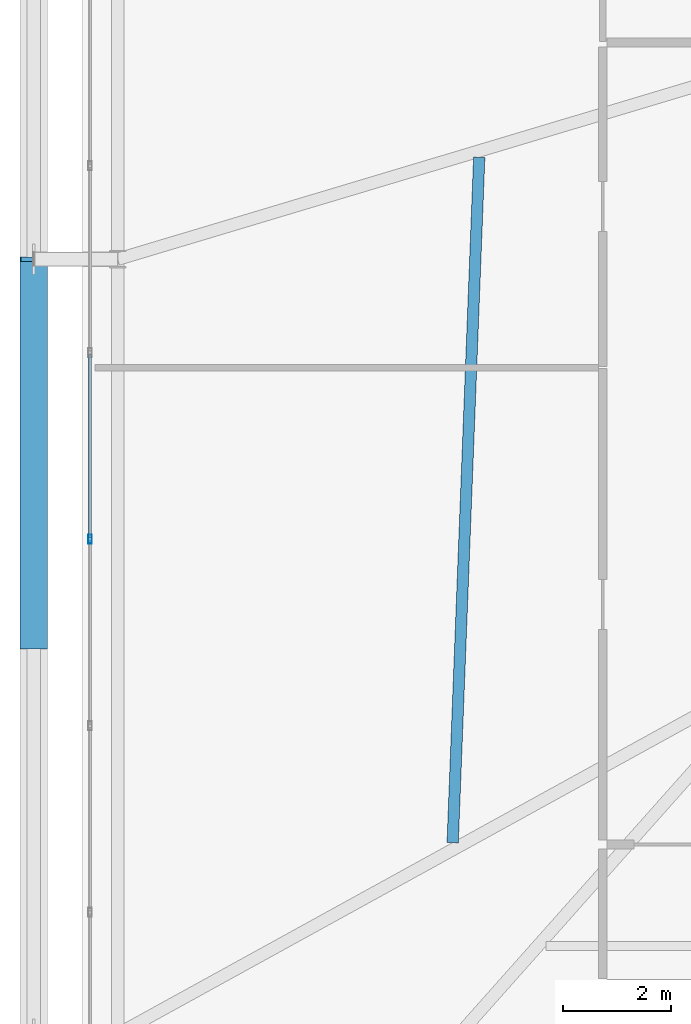
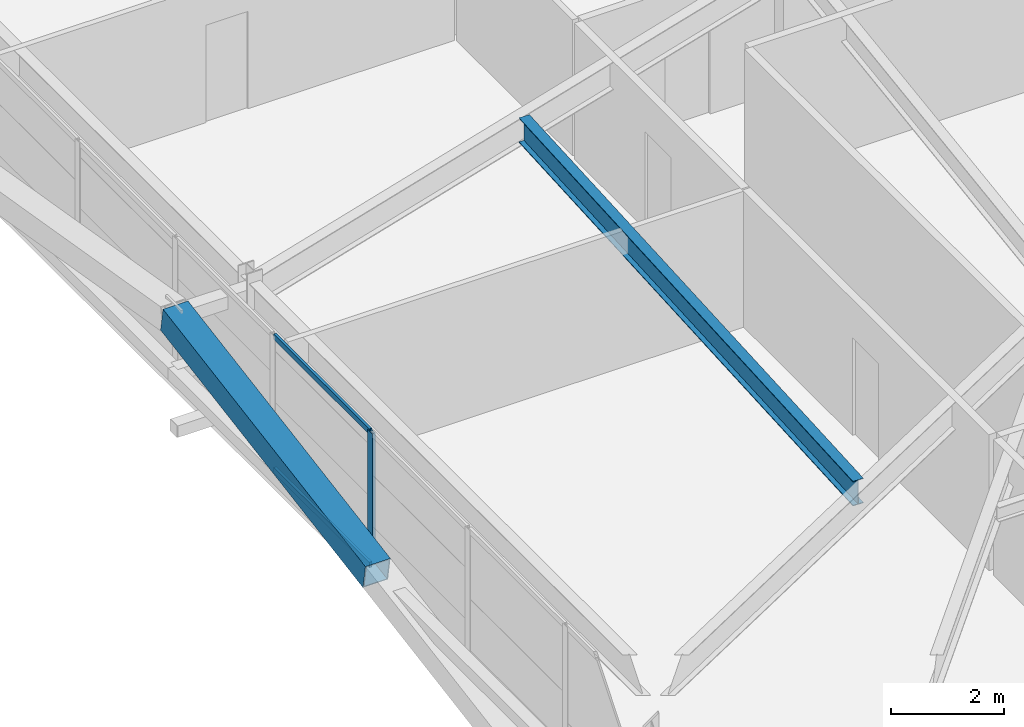
# One storey, part 10 of 58: 4 members, 1 beam, 1 element without a shape of its own.
"""IFC4 building model written with IfcOpenShell, lengths in metres."""

from ifc_helpers import new_model, si_unit, direction, frame, origin, origin_2d, place, context, subcontext, project, spatial, hollow_rectangle, i_section, extrude, source, transform, mapped, material, layer, layer_set, material_profile, profile_set, type_object, element, aggregate, save


model = new_model("IFC4")

# Units and contexts
model_context = context("Model", 3, precision=1e-05, world=origin(), true_north=direction((0.0, 1.0)))
body_context = subcontext(model_context, "Body", "Model", "MODEL_VIEW")
ifc_project = project(units=[si_unit("LENGTHUNIT", "METRE"), si_unit("AREAUNIT", "SQUARE_METRE"), si_unit("VOLUMEUNIT", "CUBIC_METRE"), si_unit("PLANEANGLEUNIT", "RADIAN"), si_unit("MASSUNIT", "GRAM", prefix="KILO")], contexts=[model_context])

# Site, building, storey
site_placement = place(None, origin())
site = spatial("IfcSite", under=ifc_project, at=site_placement, CompositionType="ELEMENT")
building_placement = place(site_placement, origin())
building = spatial("IfcBuilding", under=site, at=building_placement, Name="Taldren Reach Tower", CompositionType="ELEMENT")
storey_placement = place(building_placement, frame((0.0, 0.0, 54.60009765625)))
storey = spatial("IfcBuildingStorey", under=building, at=storey_placement, Name="L16", CompositionType="ELEMENT", Elevation=54.60009765625)

# Beam
ifc_material_1 = material(Name="Steel Gr 350 (350PLUS)", Category="steel")
ifc_material_profile_1 = material_profile(ifc_material_1, i_section(OverallWidth=0.208984375, OverallDepth=0.532958984375, WebThickness=0.01025390625, FlangeThickness=0.015625, at=origin_2d()), Name="530UB92.4")
ifc_profile_set_1 = profile_set([ifc_material_profile_1], Name="Steel Gr 350 (350PLUS)")
beam_type = type_object("IfcBeamType", Name="BM-UB530A", PredefinedType="BEAM", material=ifc_profile_set_1)
shared_shape_1 = source(origin(), body_context, "Body", "SweptSolid", [
    extrude(i_section(OverallWidth=0.208984375, OverallDepth=0.532958984375, WebThickness=0.01025390625, FlangeThickness=0.015625, at=origin_2d()), origin(), (0.0, 0.0, 1.0), 12.65625),
])
beam_placement = place(storey_placement, frame((11.830078125, 9.23291015625, 2.663330078125), z_axis=(0.0387346395, 0.99924953225, 0.0), x_axis=(-0.99924953225, 0.0387346395, 0.0)))
element("IfcBeam", 1, at=beam_placement, inside=storey, type_object=beam_type, Name="Secondary floor beam B1 J6 L16", PredefinedType="BEAM", context=body_context, shape_type="MappedRepresentation", body=[
    mapped(shared_shape_1, transform((0.0, 0.0, 0.0), scale=1.0)),
])

# Member
ifc_material_2 = material(Name="Steel Gr 450 (C450L0)", Category="steel")
ifc_material_profile_2 = material_profile(ifc_material_2, hollow_rectangle(XDim=0.510009765625, YDim=0.510009765625, WallThickness=0.02001953125, at=origin_2d()), Name="510x510x20.0SHS")
ifc_profile_set_2 = profile_set([ifc_material_profile_2], Name="Steel Gr 450 (C450L0)")
member_type_1 = type_object("IfcMemberType", Name="MB-EXO508", PredefinedType="BRACE", material=ifc_profile_set_2)
shared_shape_2 = source(origin(), body_context, "Body", "SweptSolid", [
    extrude(hollow_rectangle(XDim=0.510009765625, YDim=0.510009765625, WallThickness=0.02001953125, at=origin_2d()), origin(), (0.0, 0.0, 1.0), 7.25244140625),
])
member_1_placement = place(storey_placement, frame((4.10009765625, 12.85009765625, 1.434814453125), z_axis=(0.0, 0.985864855729, 0.167542490848), x_axis=(-1.0, 0.0, 0.0)))
element("IfcMember", 2, at=member_1_placement, inside=storey, type_object=member_type_1, Name="Exoskeleton Diagrid Brace B1-W1 L16", PredefinedType="BRACE", context=body_context, shape_type="MappedRepresentation", body=[
    mapped(shared_shape_2, transform((0.0, 0.0, 0.0), scale=1.0)),
])

# Curtain wall, members
ifc_material_3 = material(Name="Aluminium and Low-E Glass Unitised System", Category="aluminium")
ifc_layer = layer(ifc_material_3, 0.159912109375)
ifc_layer_set = layer_set([ifc_layer], Name="Aluminium and Low-E Glass Unitised System")
curtain_wall_type = type_object("IfcCurtainWallType", Name="CW-SYS-2", PredefinedType="NOTDEFINED", material=ifc_layer_set)
curtain_wall_placement = place(storey_placement, origin())
curtain_wall = element("IfcCurtainWall", 3, at=curtain_wall_placement, inside=storey, type_object=curtain_wall_type, Name="Unitised curtain wall CW-L16-W", PredefinedType="NOTDEFINED")
ifc_material_4 = material(Name="Anodised Aluminium 6063-T6", Category="aluminium")
ifc_material_profile_3 = material_profile(ifc_material_4, hollow_rectangle(XDim=0.06494140625, YDim=0.1650390625, WallThickness=0.00390625, at=origin_2d()), Name="ALU-165x65x4RHS")
ifc_profile_set_3 = profile_set([ifc_material_profile_3], Name="Anodised Aluminium 6063-T6")
member_type_2 = type_object("IfcMemberType", Name="CW-MUL-165", PredefinedType="MULLION", material=ifc_profile_set_3)
shared_shape_3 = source(origin(), body_context, "Body", "SweptSolid", [
    extrude(hollow_rectangle(XDim=0.06494140625, YDim=0.1650390625, WallThickness=0.00390625, at=origin_2d()), origin(), (0.0, 0.0, 1.0), 2.929931640625),
])
member_2_placement = place(storey_placement, frame((5.139892578125, 14.833251953125, 0.0), z_axis=(0.0, 0.0, 1.0), x_axis=(1.0, 0.0, 0.0)))
member_2 = element("IfcMember", 4, at=member_2_placement, type_object=member_type_2, Name="CW-2 mullion 7", PredefinedType="MULLION", context=body_context, shape_type="MappedRepresentation", body=[
    mapped(shared_shape_3, transform((0.0, 0.0, 0.0), scale=1.0)),
])
ifc_material_profile_4 = material_profile(ifc_material_4, hollow_rectangle(XDim=0.054931640625, YDim=0.1201171875, WallThickness=0.0029296875, at=origin_2d()), Name="ALU-120x55x3RHS")
ifc_profile_set_4 = profile_set([ifc_material_profile_4], Name="Anodised Aluminium 6063-T6")
member_type_3 = type_object("IfcMemberType", Name="CW-TRN-135", PredefinedType="USERDEFINED", material=ifc_profile_set_4)
shared_shape_4 = source(origin(), body_context, "Body", "SweptSolid", [
    extrude(hollow_rectangle(XDim=0.054931640625, YDim=0.1201171875, WallThickness=0.0029296875, at=origin_2d()), origin(), (0.0, 0.0, 1.0), 3.379638671875),
])
member_3_placement = place(storey_placement, frame((5.139892578125, 18.245361328125, 0.02734375), z_axis=(0.0, -1.0, 0.0), x_axis=(1.0, 0.0, 0.0)))
member_3 = element("IfcMember", 5, at=member_3_placement, type_object=member_type_3, Name="CW-2 transom 6.1", ObjectType="TRANSOM", PredefinedType="USERDEFINED", context=body_context, shape_type="MappedRepresentation", body=[
    mapped(shared_shape_4, transform((0.0, 0.0, 0.0), scale=1.0)),
])
member_4_placement = place(storey_placement, frame((5.139892578125, 18.245361328125, 2.90234375), z_axis=(0.0, -1.0, 0.0), x_axis=(1.0, 0.0, 0.0)))
member_4 = element("IfcMember", 6, at=member_4_placement, type_object=member_type_3, Name="CW-2 transom 6.2", ObjectType="TRANSOM", PredefinedType="USERDEFINED", context=body_context, shape_type="MappedRepresentation", body=[
    mapped(shared_shape_4, transform((0.0, 0.0, 0.0), scale=1.0)),
])
aggregate(curtain_wall, [member_2, member_3, member_4])

save(model, "model.ifc")
